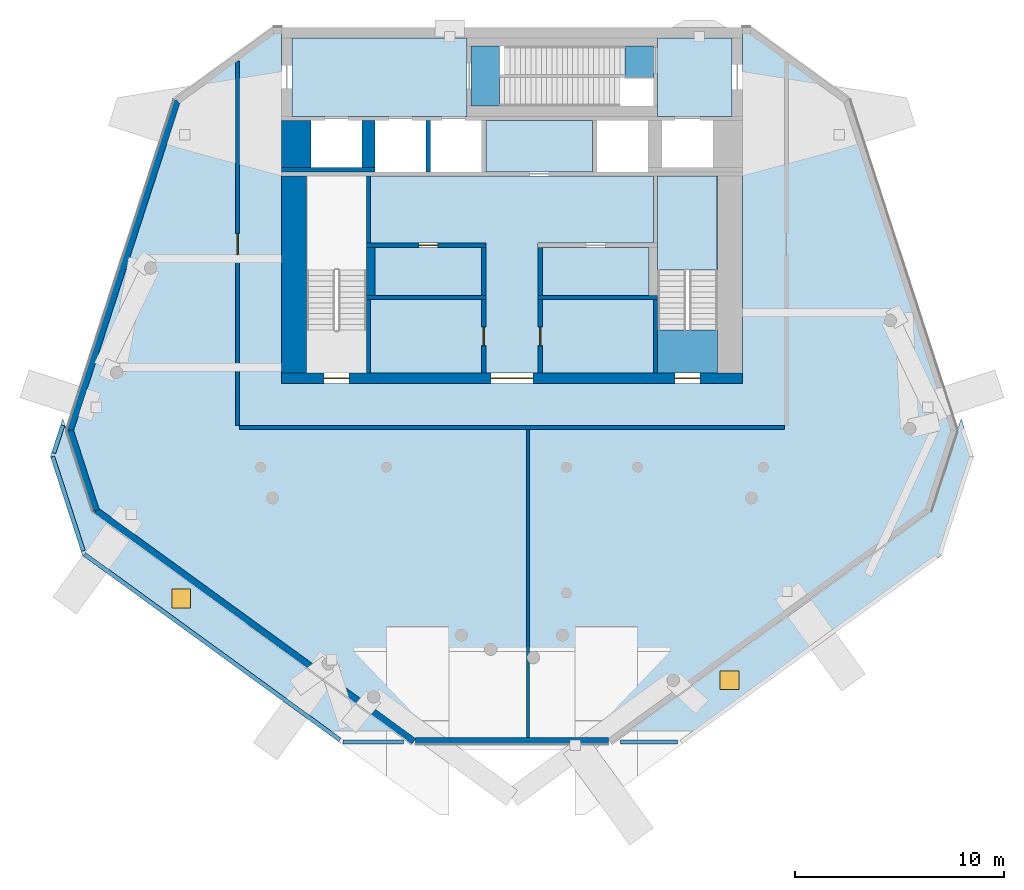
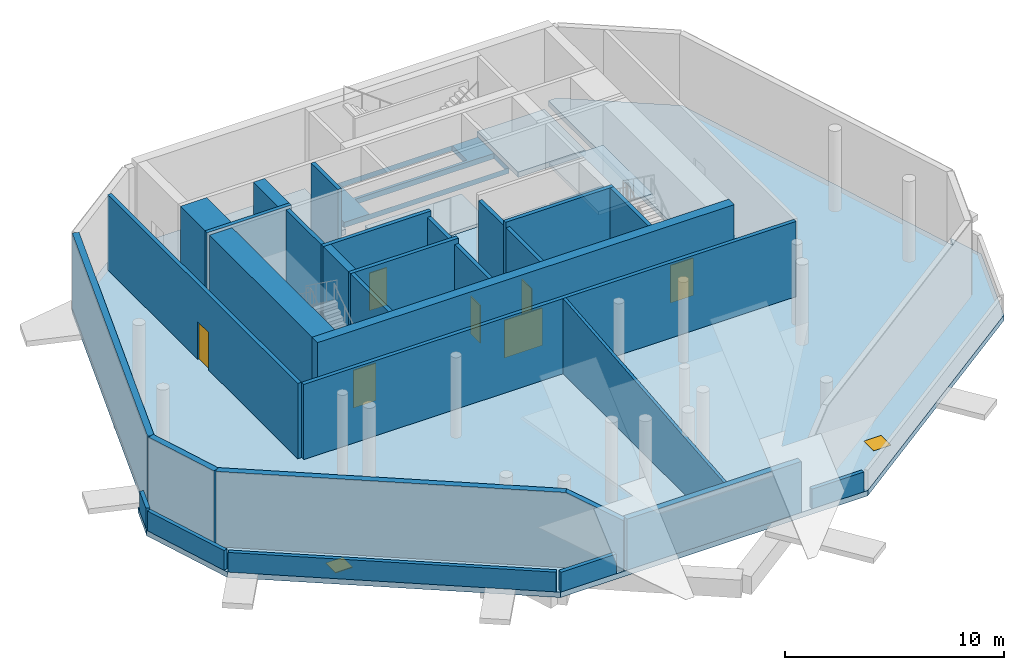
# One storey, part 2 of 8: 29 walls, 8 slabs, 7 doors, 2 windows, 9 openings, 1 element without a shape of its own.
"""IFC4 building model written with IfcOpenShell, lengths in metres."""

from ifc_helpers import new_model, si_unit, direction, frame, frame_2d, origin, origin_2d, place, context, subcontext, project, spatial, polyline, rectangle, outline, extrude, material, layer, layer_set, type_object, element, fill, aggregate, save


model = new_model("IFC4")

# Units and contexts
model_context = context("Model", 3, precision=1e-05, world=origin(), true_north=direction((0.0, 1.0)))
body_context = subcontext(model_context, "Body", "Model", "MODEL_VIEW")
ifc_project = project(units=[si_unit("LENGTHUNIT", "METRE"), si_unit("AREAUNIT", "SQUARE_METRE"), si_unit("VOLUMEUNIT", "CUBIC_METRE"), si_unit("PLANEANGLEUNIT", "RADIAN"), si_unit("MASSUNIT", "GRAM", prefix="KILO")], contexts=[model_context])

# Site, building, storey
site_placement = place(None, origin())
site = spatial("IfcSite", under=ifc_project, at=site_placement, CompositionType="ELEMENT")
building_placement = place(site_placement, origin())
building = spatial("IfcBuilding", under=site, at=building_placement, Name="White Candle Pilgrim Tower", CompositionType="ELEMENT")
storey_placement = place(building_placement, frame((0.0, 0.0, 328.699951171875)))
storey = spatial("IfcBuildingStorey", under=building, at=storey_placement, Name="L77", CompositionType="ELEMENT", Elevation=328.699951171875)

# Slabs
ifc_material_1 = material(Name="Concrete C40/50", Category="concrete")
ifc_layer_1 = layer(ifc_material_1, 0.300048828125)
ifc_layer_set_1 = layer_set([ifc_layer_1], Name="Core floor slab 300 mm Concrete C40/50")
slab_type_1 = type_object("IfcSlabType", Name="Core floor slab 300 mm Concrete C40/50", PredefinedType="FLOOR", material=ifc_layer_set_1)
slab_1_placement = place(storey_placement, frame((0.0, 0.0, -0.300048828125)))
element("IfcSlab", 1, at=slab_1_placement, inside=storey, type_object=slab_type_1, Name="CF-L77-01", PredefinedType="FLOOR", context=body_context, shape_type="SweptSolid", body=[
    extrude(outline(polyline([(67.85009765625, 87.10009765625), (67.85009765625, 84.25), (67.85009765625, 83.75), (59.5, 83.75), (59.5, 87.5), (67.85009765625, 87.5), (67.85009765625, 87.10009765625)])), origin(), (0.0, 0.0, 1.0), 0.300048828125),
])
slab_2_placement = place(storey_placement, frame((0.0, 0.0, -0.300048828125)))
element("IfcSlab", 2, at=slab_2_placement, inside=storey, type_object=slab_type_1, Name="CF-L77-02", PredefinedType="FLOOR", context=body_context, shape_type="SweptSolid", body=[
    extrude(outline(polyline([(80.5, 83.75), (76.949951171875, 83.75), (76.949951171875, 84.25), (76.949951171875, 87.10009765625), (76.949951171875, 87.5), (80.5, 87.5), (80.5, 83.75)])), origin(), (0.0, 0.0, 1.0), 0.300048828125),
])
slab_3_placement = place(storey_placement, frame((0.0, 0.0, -0.300048828125)))
element("IfcSlab", 3, at=slab_3_placement, inside=storey, type_object=slab_type_1, Name="CF-L77-03", PredefinedType="FLOOR", context=body_context, shape_type="SweptSolid", body=[
    extrude(outline(polyline([(76.949951171875, 75.0), (76.949951171875, 75.199951171875), (76.949951171875, 77.5), (76.949951171875, 77.699951171875), (76.949951171875, 80.89990234375), (79.800048828125, 80.89990234375), (79.800048828125, 71.5), (76.949951171875, 71.5), (76.949951171875, 75.0)]), holes=[polyline([(79.798095703125, 80.89794921875), (76.951904296875, 80.89794921875), (76.951904296875, 73.552001953125), (79.798095703125, 73.552001953125), (79.798095703125, 80.89794921875)])]), origin(), (0.0, 0.0, 1.0), 0.300048828125),
])
slab_4_placement = place(storey_placement, frame((0.0, 0.0, -0.300048828125)))
element("IfcSlab", 4, at=slab_4_placement, inside=storey, type_object=slab_type_1, Name="CF-L77-04", PredefinedType="FLOOR", context=body_context, shape_type="SweptSolid", body=[
    extrude(outline(polyline([(63.25, 75.0), (68.75, 75.0), (68.75, 75.199951171875), (63.449951171875, 75.199951171875), (63.449951171875, 77.5), (68.75, 77.5), (68.75, 77.699951171875), (63.25, 77.699951171875), (63.25, 80.89990234375), (76.75, 80.89990234375), (76.75, 77.699951171875), (71.25, 77.699951171875), (71.25, 77.5), (76.550048828125, 77.5), (76.550048828125, 75.199951171875), (71.25, 75.199951171875), (71.25, 75.0), (76.75, 75.0), (76.75, 71.5), (63.25, 71.5), (63.25, 75.0)])), origin(), (0.0, 0.0, 1.0), 0.300048828125),
])
slab_5_placement = place(storey_placement, frame((0.0, 0.0, -0.300048828125)))
element("IfcSlab", 5, at=slab_5_placement, inside=storey, type_object=slab_type_1, Name="CF-L77-06", PredefinedType="FLOOR", context=body_context, shape_type="SweptSolid", body=[
    extrude(outline(polyline([(73.85009765625, 81.10009765625), (68.75, 81.10009765625), (68.75, 83.550048828125), (73.85009765625, 83.550048828125), (73.85009765625, 81.10009765625)])), origin(), (0.0, 0.0, 1.0), 0.300048828125),
])
slab_6_placement = place(storey_placement, frame((0.0, 0.0, -0.300048828125)))
element("IfcSlab", 6, at=slab_6_placement, inside=storey, type_object=slab_type_1, Name="CF-L77-07", PredefinedType="FLOOR", context=body_context, shape_type="SweptSolid", body=[
    extrude(outline(polyline([(68.050048828125, 87.10009765625), (75.39599609375, 87.10009765625), (76.75, 87.10009765625), (76.75, 85.75), (76.75, 85.60009765625), (76.75, 84.25), (68.050048828125, 84.25), (68.050048828125, 87.10009765625)]), holes=[polyline([(76.748046875, 84.251953125), (76.748046875, 85.60009765625), (69.402099609375, 85.60009765625), (69.402099609375, 84.251953125), (76.748046875, 84.251953125)]), polyline([(69.402099609375, 87.097900390625), (69.402099609375, 85.75), (75.39599609375, 85.75), (75.39599609375, 87.097900390625), (69.402099609375, 87.097900390625)])]), origin(), (0.0, 0.0, 1.0), 0.300048828125),
])

# Slab, openings, windows
ifc_layer_2 = layer(ifc_material_1, 0.300048828125)
ifc_layer_set_2 = layer_set([ifc_layer_2], Name="Floor slab 300 REI 240")
slab_type_2 = type_object("IfcSlabType", Name="Floor slab 300 REI 240", PredefinedType="FLOOR", material=ifc_layer_set_2)
slab_7_placement = place(storey_placement, frame((0.0, 0.0, -0.300048828125)))
slab_7 = element("IfcSlab", 7, at=slab_7_placement, inside=storey, type_object=slab_type_2, Name="L77 floor slab", PredefinedType="FLOOR", context=body_context, shape_type="SweptSolid", body=[
    extrude(outline(polyline([(61.88916015625, 53.779541015625), (78.11083984375, 53.77978515625), (90.50048828125, 62.78125), (92.03662109375, 67.508544921875), (91.447509765625, 69.320556640625), (91.263671875, 68.754638671875), (86.1142578125, 84.601806640625), (81.43701171875, 88.0), (81.0, 88.0), (81.0, 71.0), (59.0, 71.0), (59.0, 88.0), (58.56298828125, 88.0), (53.8857421875, 84.601806640625), (53.885498046875, 84.601318359375), (48.736328125, 68.754638671875), (48.55224609375, 69.320556640625), (47.96337890625, 67.508544921875), (49.49951171875, 62.78125), (61.88916015625, 53.779541015625)])), origin(), (0.0, 0.0, 1.0), 0.300048828125),
])
opening_1_placement = place(slab_7_placement, frame((80.3798828125, 56.830078125, 0.0)))
opening_1 = element("IfcOpeningElement", 8, at=opening_1_placement, cuts=slab_7, Name="Opening SK1", PredefinedType="OPENING", context=body_context, shape_type="SweptSolid", body=[
    extrude(rectangle(XDim=0.89990234375, YDim=0.89990234375, at=origin_2d()), origin(), (0.0, 0.0, 1.0), 0.300048828125),
])
opening_2_placement = place(slab_7_placement, frame((54.2099609375, 60.72998046875, 0.0)))
opening_2 = element("IfcOpeningElement", 9, at=opening_2_placement, cuts=slab_7, Name="Opening SK1", PredefinedType="OPENING", context=body_context, shape_type="SweptSolid", body=[
    extrude(rectangle(XDim=0.89990234375, YDim=0.89990234375, at=origin_2d()), origin(), (0.0, 0.0, 1.0), 0.300048828125),
])
ifc_material_2 = material(Name="Aluminium with glazing", Category="aluminium")
window_type = type_object("IfcWindowType", Name="Roof access hatch SK1 900", PartitioningType="SINGLE_PANEL", PredefinedType="SKYLIGHT", material=ifc_material_2)
window_1_placement = place(opening_1_placement, frame((0.0, 0.0, 0.25)))
window_1 = element("IfcWindow", 10, at=window_1_placement, inside=storey, type_object=window_type, Name="Roof access hatch SK1 L77", OverallHeight=0.89990234375, OverallWidth=0.89990234375, PartitioningType="SINGLE_PANEL", PredefinedType="SKYLIGHT", context=body_context, shape_type="SweptSolid", body=[
    extrude(rectangle(XDim=0.89990234375, YDim=0.89990234375, at=origin_2d()), origin(), (0.0, 0.0, 1.0), 0.050048828125),
])
fill(opening_1, window_1)
window_2_placement = place(opening_2_placement, frame((0.0, 0.0, 0.25)))
window_2 = element("IfcWindow", 11, at=window_2_placement, inside=storey, type_object=window_type, Name="Roof access hatch SK1 L77", OverallHeight=0.89990234375, OverallWidth=0.89990234375, PartitioningType="SINGLE_PANEL", PredefinedType="SKYLIGHT", context=body_context, shape_type="SweptSolid", body=[
    extrude(rectangle(XDim=0.89990234375, YDim=0.89990234375, at=origin_2d()), origin(), (0.0, 0.0, 1.0), 0.050048828125),
])
fill(opening_2, window_2)

# Stair, slab
stair_type = type_object("IfcStairType", Name="Exit stair 2 flight width 1350 mm", PredefinedType="HALF_TURN_STAIR", material=ifc_material_1)
stair_placement = place(storey_placement, origin())
stair = element("IfcStair", 12, at=stair_placement, inside=storey, type_object=stair_type, Name="L77 stair 2", PredefinedType="NOTDEFINED")
ifc_layer_3 = layer(ifc_material_1, 0.199951171875)
ifc_layer_set_3 = layer_set([ifc_layer_3], Name="Stair landing Concrete C40/50")
slab_type_3 = type_object("IfcSlabType", Name="Stair landing Concrete C40/50", PredefinedType="LANDING", material=ifc_layer_set_3)
slab_8_placement = place(storey_placement, frame((0.0, 0.0, 2.050048828125)))
slab_8 = element("IfcSlab", 13, at=slab_8_placement, type_object=slab_type_3, Name="ST2 landing 1", PredefinedType="LANDING", context=body_context, shape_type="SweptSolid", body=[
    extrude(outline(polyline([(79.802001953125, 76.407958984375), (76.947998046875, 76.407958984375), (76.947998046875, 80.902099609375), (79.802001953125, 80.902099609375), (79.802001953125, 76.407958984375)])), origin(), (0.0, 0.0, 1.0), 0.199951171875),
])
aggregate(stair, [slab_8])

# Walls
ifc_layer_4 = layer(ifc_material_1, 1.39990234375)
ifc_layer_set_4 = layer_set([ifc_layer_4], Name="Core wall 1400 mm Concrete C40/50")
wall_type_1 = type_object("IfcWallType", Name="Core wall 1400 mm Concrete C40/50", PredefinedType="SHEAR", material=ifc_layer_set_4)
wall_1_placement = place(storey_placement, frame((59.699951171875, 81.300048828125, 0.0), z_axis=(0.0, 0.0, 1.0), x_axis=(0.0, 1.0, 0.0)))
element("IfcWall", 14, at=wall_1_placement, inside=storey, type_object=wall_type_1, Name="WL-L77-C24", PredefinedType="SHEAR", context=body_context, shape_type="SweptSolid", body=[
    extrude(rectangle(XDim=2.25, YDim=1.39990234375, at=frame_2d((1.125, 0.0))), origin(), (0.0, 0.0, 1.0), 4.5),
])
ifc_layer_5 = layer(ifc_material_1, 0.199951171875)
ifc_layer_set_5 = layer_set([ifc_layer_5], Name="Core wall 200 mm Concrete C40/50")
wall_type_2 = type_object("IfcWallType", Name="Core wall 200 mm Concrete C40/50", PredefinedType="SHEAR", material=ifc_layer_set_5)
wall_2_placement = place(storey_placement, frame((59.0, 81.199951171875, 0.0), z_axis=(0.0, 0.0, 1.0), x_axis=(1.0, 0.0, 0.0)))
element("IfcWall", 15, at=wall_2_placement, inside=storey, type_object=wall_type_2, Name="WL-L77-C19", PredefinedType="SHEAR", context=body_context, shape_type="SweptSolid", body=[
    extrude(rectangle(XDim=4.449951171875, YDim=0.199951171875, at=frame_2d((2.22509765625, 0.0))), origin(), (0.0, 0.0, 1.0), 4.5),
])
ifc_material_3 = material(Name="Gypsum board on steel studs", Category="steel")
ifc_layer_6 = layer(ifc_material_3, 0.199951171875)
ifc_layer_set_6 = layer_set([ifc_layer_6], Name="Corridor wall 200 mm EI 45")
wall_type_3 = type_object("IfcWallType", Name="Corridor wall 200 mm EI 45", PredefinedType="PARTITIONING", material=ifc_layer_set_6)
wall_3_placement = place(storey_placement, frame((83.0, 68.89990234375, 0.0), z_axis=(0.0, 0.0, 1.0), x_axis=(-1.0, 0.0, 0.0)))
element("IfcWall", 16, at=wall_3_placement, inside=storey, type_object=wall_type_3, Name="WL-L77-P002", PredefinedType="PARTITIONING", context=body_context, shape_type="SweptSolid", body=[
    extrude(rectangle(XDim=26.0, YDim=0.199951171875, at=frame_2d((13.0, 0.0))), origin(), (0.0, 0.0, 1.0), 4.199951171875),
])

# Wall, opening, door
wall_4_placement = place(storey_placement, frame((56.89990234375, 69.0, 0.0), z_axis=(0.0, 0.0, 1.0), x_axis=(0.0, 1.0, 0.0)))
wall_4 = element("IfcWall", 17, at=wall_4_placement, inside=storey, type_object=wall_type_3, Name="WL-L77-P003", PredefinedType="PARTITIONING", context=body_context, shape_type="SweptSolid", body=[
    extrude(rectangle(XDim=17.396240234375, YDim=0.199951171875, at=frame_2d((8.6982421875, 0.0))), origin(), (0.0, 0.0, 1.0), 4.199951171875),
])
opening_3_placement = place(wall_4_placement, frame((8.148193359375, 0.0, 0.0)))
opening_3 = element("IfcOpeningElement", 18, at=opening_3_placement, cuts=wall_4, Name="Opening L77-101", PredefinedType="OPENING", context=body_context, shape_type="SweptSolid", body=[
    extrude(rectangle(XDim=1.0, YDim=2.10009765625, at=frame_2d((0.5, 1.050048828125))), frame((0.0, 0.10986328125, 0.0), z_axis=(0.0, -1.0, 0.0), x_axis=(1.0, 0.0, 0.0)), (0.0, 0.0, 1.0), 0.219970703125),
])
ifc_material_4 = material(Name="Steel door leaf", Category="steel")
door_type_1 = type_object("IfcDoorType", Name="Fire door 1000 x 2100 EI 30", OperationType="NOTDEFINED", PredefinedType="DOOR", material=ifc_material_4)
door_1_placement = place(opening_3_placement, origin())
door_1 = element("IfcDoor", 19, at=door_1_placement, inside=storey, type_object=door_type_1, Name="Door L77-101", OperationType="SINGLE_SWING_LEFT", OverallHeight=2.10009765625, OverallWidth=1.0, PredefinedType="DOOR", context=body_context, shape_type="SweptSolid", body=[
    extrude(rectangle(XDim=1.0, YDim=2.10009765625, at=frame_2d((0.5, 1.050048828125))), frame((0.0, 0.02490234375, 0.0), z_axis=(0.0, -1.0, 0.0), x_axis=(1.0, 0.0, 0.0)), (0.0, 0.0, 1.0), 0.050048828125),
])
fill(opening_3, door_1)

# Walls
ifc_material_5 = material(Name="Precast concrete C40/50", Category="concrete")
ifc_layer_7 = layer(ifc_material_5, 0.320068359375)
ifc_layer_set_7 = layer_set([ifc_layer_7], Name="Facade wall EW4 precast concrete C40/50 crown wall with zinc cladding")
wall_type_4 = type_object("IfcWallType", Name="Facade wall EW4 precast concrete C40/50 crown wall with zinc cladding", PredefinedType="SOLIDWALL", material=ifc_layer_set_7)
wall_5_placement = place(storey_placement, frame((48.904541015625, 68.75439453125, 0.0), z_axis=(0.0, 0.0, 1.0), x_axis=(0.309021525282, -0.951055044102, 0.0)))
element("IfcWall", 20, at=wall_5_placement, inside=storey, type_object=wall_type_4, Name="Crown wall L77 W chamfer", PredefinedType="SOLIDWALL", context=body_context, shape_type="SweptSolid", body=[
    extrude(rectangle(XDim=4.019775390625, YDim=0.320068359375, at=frame_2d((2.009765625, 0.0))), origin(), (0.0, 0.0, 1.0), 4.199951171875),
])
wall_6_placement = place(storey_placement, frame((50.146728515625, 64.931396484375, 0.0), z_axis=(0.0, 0.0, 1.0), x_axis=(0.80901917789, -0.58778224693, 0.0)))
element("IfcWall", 21, at=wall_6_placement, inside=storey, type_object=wall_type_4, Name="Crown wall L77 SW", PredefinedType="SOLIDWALL", context=body_context, shape_type="SweptSolid", body=[
    extrude(outline(polyline([(0.0, 0.0), (18.752197265625, 0.0), (18.752197265625, 2.814697265625), (16.09033203125, 4.199951171875), (0.0, 4.199951171875), (0.0, 0.0)])), frame((0.0, 0.16015625, 0.0), z_axis=(0.0, -1.0, 0.0), x_axis=(1.0, 0.0, 0.0)), (0.0, 0.0, 1.0), 0.320068359375),
])
wall_7_placement = place(storey_placement, frame((54.021484375, 84.502685546875, 0.0), z_axis=(0.0, 0.0, 1.0), x_axis=(-0.309017727781, -0.951056277997, 0.0)))
element("IfcWall", 22, at=wall_7_placement, inside=storey, type_object=wall_type_4, Name="Crown wall L77 WNW", PredefinedType="SOLIDWALL", context=body_context, shape_type="SweptSolid", body=[
    extrude(rectangle(XDim=16.558837890625, YDim=0.320068359375, at=frame_2d((8.279296875, 0.0))), origin(), (0.0, 0.0, 1.0), 4.199951171875),
])
wall_8_placement = place(storey_placement, frame((65.394775390625, 53.939697265625, 0.0), z_axis=(0.0, 0.0, 1.0), x_axis=(1.0, 0.0, 0.0)))
element("IfcWall", 23, at=wall_8_placement, inside=storey, type_object=wall_type_4, Name="Crown wall L77 S", PredefinedType="SOLIDWALL", context=body_context, shape_type="SweptSolid", body=[
    extrude(rectangle(XDim=9.21044921875, YDim=0.320068359375, at=frame_2d((4.605224609375, 0.0))), origin(), (0.0, 0.0, 1.0), 2.841796875),
])

# Wall, opening, door
ifc_layer_8 = layer(ifc_material_3, 0.199951171875)
ifc_layer_set_8 = layer_set([ifc_layer_8], Name="Lobby wall 200 mm EI 60")
wall_type_5 = type_object("IfcWallType", Name="Lobby wall 200 mm EI 60", PredefinedType="PARTITIONING", material=ifc_layer_set_8)
wall_9_placement = place(storey_placement, frame((68.64990234375, 71.5, 0.0), z_axis=(0.0, 0.0, 1.0), x_axis=(0.0, 1.0, 0.0)))
wall_9 = element("IfcWall", 24, at=wall_9_placement, inside=storey, type_object=wall_type_5, Name="WL-L77-C04", PredefinedType="PARTITIONING", context=body_context, shape_type="SweptSolid", body=[
    extrude(rectangle(XDim=3.5, YDim=0.199951171875, at=frame_2d((1.75, 0.0))), origin(), (0.0, 0.0, 1.0), 4.199951171875),
])
opening_4_placement = place(wall_9_placement, frame((1.300048828125, 0.0, 0.0)))
opening_4 = element("IfcOpeningElement", 25, at=opening_4_placement, cuts=wall_9, Name="Opening L77-006", PredefinedType="OPENING", context=body_context, shape_type="SweptSolid", body=[
    extrude(rectangle(XDim=0.89990234375, YDim=2.10009765625, at=frame_2d((0.449951171875, 1.050048828125))), frame((0.0, 0.10986328125, 0.0), z_axis=(0.0, -1.0, 0.0), x_axis=(1.0, 0.0, 0.0)), (0.0, 0.0, 1.0), 0.219970703125),
])
door_type_2 = type_object("IfcDoorType", Name="Fire door 900 x 2100 EI 30", OperationType="NOTDEFINED", PredefinedType="DOOR", material=ifc_material_4)
door_2_placement = place(opening_4_placement, origin())
door_2 = element("IfcDoor", 26, at=door_2_placement, inside=storey, type_object=door_type_2, Name="Door L77-006", OperationType="SINGLE_SWING_RIGHT", OverallHeight=2.10009765625, OverallWidth=0.89990234375, PredefinedType="DOOR", context=body_context, shape_type="SweptSolid", body=[
    extrude(rectangle(XDim=0.89990234375, YDim=2.10009765625, at=frame_2d((0.449951171875, 1.050048828125))), frame((0.0, 0.02490234375, 0.0), z_axis=(0.0, -1.0, 0.0), x_axis=(1.0, 0.0, 0.0)), (0.0, 0.0, 1.0), 0.050048828125),
])
fill(opening_4, door_2)

wall_10_placement = place(storey_placement, frame((71.35009765625, 71.5, 0.0), z_axis=(0.0, 0.0, 1.0), x_axis=(0.0, 1.0, 0.0)))
wall_10 = element("IfcWall", 27, at=wall_10_placement, inside=storey, type_object=wall_type_5, Name="WL-L77-C05", PredefinedType="PARTITIONING", context=body_context, shape_type="SweptSolid", body=[
    extrude(rectangle(XDim=3.5, YDim=0.199951171875, at=frame_2d((1.75, 0.0))), origin(), (0.0, 0.0, 1.0), 4.199951171875),
])
opening_5_placement = place(wall_10_placement, frame((1.300048828125, 0.0, 0.0)))
opening_5 = element("IfcOpeningElement", 28, at=opening_5_placement, cuts=wall_10, Name="Opening L77-007", PredefinedType="OPENING", context=body_context, shape_type="SweptSolid", body=[
    extrude(rectangle(XDim=0.89990234375, YDim=2.10009765625, at=frame_2d((0.449951171875, 1.050048828125))), frame((0.0, 0.10986328125, 0.0), z_axis=(0.0, -1.0, 0.0), x_axis=(1.0, 0.0, 0.0)), (0.0, 0.0, 1.0), 0.219970703125),
])
door_3_placement = place(opening_5_placement, origin())
door_3 = element("IfcDoor", 29, at=door_3_placement, inside=storey, type_object=door_type_2, Name="Door L77-007", OperationType="SINGLE_SWING_LEFT", OverallHeight=2.10009765625, OverallWidth=0.89990234375, PredefinedType="DOOR", context=body_context, shape_type="SweptSolid", body=[
    extrude(rectangle(XDim=0.89990234375, YDim=2.10009765625, at=frame_2d((0.449951171875, 1.050048828125))), frame((0.0, 0.02490234375, 0.0), z_axis=(0.0, -1.0, 0.0), x_axis=(1.0, 0.0, 0.0)), (0.0, 0.0, 1.0), 0.050048828125),
])
fill(opening_5, door_3)

# Walls
for number, where, z_axis, x_axis, name in (
    (30, (68.64990234375, 75.199951171875, 0.0), (0.0, 0.0, 1.0), (0.0, 1.0, 0.0), "WL-L77-C11"),
    (31, (71.35009765625, 75.199951171875, 0.0), (0.0, 0.0, 1.0), (0.0, 1.0, 0.0), "WL-L77-C12"),
):
    element("IfcWall", number, at=place(storey_placement, frame(where, z_axis=z_axis, x_axis=x_axis)), inside=storey, type_object=wall_type_5, Name=name, PredefinedType="PARTITIONING", context=body_context, shape_type="SweptSolid", body=[
        extrude(rectangle(XDim=2.300048828125, YDim=0.199951171875, at=frame_2d((1.14990234375, 0.0))), origin(), (0.0, 0.0, 1.0), 4.199951171875),
    ])
ifc_layer_9 = layer(ifc_material_3, 0.14990234375)
ifc_layer_set_9 = layer_set([ifc_layer_9], Name="Partition 150 mm EI 60")
wall_type_6 = type_object("IfcWallType", Name="Partition 150 mm EI 60", PredefinedType="PARTITIONING", material=ifc_layer_set_9)
wall_11_placement = place(storey_placement, frame((70.771240234375, 54.099609375, 0.0), z_axis=(0.0, 0.0, 1.0), x_axis=(0.0, 1.0, 0.0)))
element("IfcWall", 32, at=wall_11_placement, inside=storey, type_object=wall_type_6, Name="WL-L77-P004", PredefinedType="PARTITIONING", context=body_context, shape_type="SweptSolid", body=[
    extrude(outline(polyline([(0.0, 0.0), (14.700439453125, 0.0), (14.700439453125, 4.199951171875), (0.0, 2.833251953125), (0.0, 0.0)])), frame((0.0, 0.074951171875, 0.0), z_axis=(0.0, -1.0, 0.0), x_axis=(1.0, 0.0, 0.0)), (0.0, 0.0, 1.0), 0.14990234375),
])
ifc_layer_10 = layer(ifc_material_5, 0.199951171875)
ifc_layer_set_10 = layer_set([ifc_layer_10], Name="Roof parapet EW5 precast concrete C40/50 200")
wall_type_7 = type_object("IfcWallType", Name="Roof parapet EW5 precast concrete C40/50 200", PredefinedType="SOLIDWALL", material=ifc_layer_set_10)
wall_12_placement = place(storey_placement, frame((77.908203125, 53.879638671875, 0.0), z_axis=(0.0, 0.0, 1.0), x_axis=(-1.0, 0.0, 0.0)))
element("IfcWall", 33, at=wall_12_placement, inside=storey, type_object=wall_type_7, Name="Roof parapet L77", PredefinedType="SOLIDWALL", context=body_context, shape_type="SweptSolid", body=[
    extrude(rectangle(XDim=2.739013671875, YDim=0.199951171875, at=frame_2d((1.36962890625, 0.0))), origin(), (0.0, 0.0, 1.0), 1.10009765625),
])
wall_13_placement = place(storey_placement, frame((64.830810546875, 53.879638671875, 0.0), z_axis=(0.0, 0.0, 1.0), x_axis=(-1.0, 0.0, 0.0)))
element("IfcWall", 34, at=wall_13_placement, inside=storey, type_object=wall_type_7, Name="Roof parapet L77", PredefinedType="SOLIDWALL", context=body_context, shape_type="SweptSolid", body=[
    extrude(rectangle(XDim=2.9091796875, YDim=0.199951171875, at=frame_2d((1.45458984375, 0.0))), origin(), (0.0, 0.0, 1.0), 1.10009765625),
])
wall_14_placement = place(storey_placement, frame((61.783935546875, 53.9794921875, 0.0), z_axis=(0.0, 0.0, 1.0), x_axis=(-0.809008348553, 0.587797152062, 0.0)))
element("IfcWall", 35, at=wall_14_placement, inside=storey, type_object=wall_type_7, Name="Roof parapet L77", PredefinedType="SOLIDWALL", context=body_context, shape_type="SweptSolid", body=[
    extrude(rectangle(XDim=15.079345703125, YDim=0.199951171875, at=frame_2d((7.53955078125, 0.0))), origin(), (0.0, 0.0, 1.0), 1.10009765625),
])
wall_15_placement = place(storey_placement, frame((49.531982421875, 63.0048828125, 0.0), z_axis=(0.0, 0.0, 1.0), x_axis=(-0.309026617678, 0.951053389441, 0.0)))
element("IfcWall", 36, at=wall_15_placement, inside=storey, type_object=wall_type_7, Name="Roof parapet L77", PredefinedType="SOLIDWALL", context=body_context, shape_type="SweptSolid", body=[
    extrude(rectangle(XDim=4.7353515625, YDim=0.199951171875, at=frame_2d((2.36767578125, 0.0))), origin(), (0.0, 0.0, 1.0), 1.10009765625),
])
wall_16_placement = place(storey_placement, frame((48.12109375, 67.67041015625, 0.0), z_axis=(0.0, 0.0, 1.0), x_axis=(0.309236441477, 0.950985185617, 0.0)))
element("IfcWall", 37, at=wall_16_placement, inside=storey, type_object=wall_type_7, Name="Roof parapet L77", PredefinedType="SOLIDWALL", context=body_context, shape_type="SweptSolid", body=[
    extrude(rectangle(XDim=1.39501953125, YDim=0.199951171875, at=frame_2d((0.697509765625, 0.0))), origin(), (0.0, 0.0, 1.0), 1.10009765625),
])
ifc_layer_11 = layer(ifc_material_1, 0.199951171875)
ifc_layer_set_11 = layer_set([ifc_layer_11], Name="Shaft wall 200 mm Concrete C40/50")
wall_type_8 = type_object("IfcWallType", Name="Shaft wall 200 mm Concrete C40/50", PredefinedType="SHEAR", material=ifc_layer_set_11)
wall_17_placement = place(storey_placement, frame((66.0, 81.10009765625, 0.0), z_axis=(0.0, 0.0, 1.0), x_axis=(0.0, 1.0, 0.0)))
element("IfcWall", 38, at=wall_17_placement, inside=storey, type_object=wall_type_8, Name="WL-L77-C20", PredefinedType="SHEAR", context=body_context, shape_type="SweptSolid", body=[
    extrude(rectangle(XDim=2.449951171875, YDim=0.199951171875, at=frame_2d((1.22509765625, 0.0))), origin(), (0.0, 0.0, 1.0), 4.5),
])
ifc_layer_12 = layer(ifc_material_1, 0.60009765625)
ifc_layer_set_12 = layer_set([ifc_layer_12], Name="Shaft wall 600 mm Concrete C40/50")
wall_type_9 = type_object("IfcWallType", Name="Shaft wall 600 mm Concrete C40/50", PredefinedType="SHEAR", material=ifc_layer_set_12)
wall_18_placement = place(storey_placement, frame((63.14990234375, 81.300048828125, 0.0), z_axis=(0.0, 0.0, 1.0), x_axis=(0.0, 1.0, 0.0)))
element("IfcWall", 39, at=wall_18_placement, inside=storey, type_object=wall_type_9, Name="WL-L77-C25", PredefinedType="SHEAR", context=body_context, shape_type="SweptSolid", body=[
    extrude(rectangle(XDim=2.25, YDim=0.60009765625, at=frame_2d((1.125, 0.0))), origin(), (0.0, 0.0, 1.0), 4.5),
])
ifc_layer_13 = layer(ifc_material_1, 1.199951171875)
ifc_layer_set_13 = layer_set([ifc_layer_13], Name="Stair shaft wall 1200 mm Concrete C40/50")
wall_type_10 = type_object("IfcWallType", Name="Stair shaft wall 1200 mm Concrete C40/50", PredefinedType="SHEAR", material=ifc_layer_set_13)
wall_19_placement = place(storey_placement, frame((59.60009765625, 71.5, 0.0), z_axis=(0.0, 0.0, 1.0), x_axis=(0.0, 1.0, 0.0)))
element("IfcWall", 40, at=wall_19_placement, inside=storey, type_object=wall_type_10, Name="WL-L77-C02", PredefinedType="SHEAR", context=body_context, shape_type="SweptSolid", body=[
    extrude(rectangle(XDim=9.39990234375, YDim=1.199951171875, at=frame_2d((4.699951171875, 0.0))), origin(), (0.0, 0.0, 1.0), 4.5),
])
ifc_layer_14 = layer(ifc_material_1, 0.199951171875)
ifc_layer_set_14 = layer_set([ifc_layer_14], Name="Stair shaft wall 200 mm Concrete C40/50")
wall_type_11 = type_object("IfcWallType", Name="Stair shaft wall 200 mm Concrete C40/50", PredefinedType="SHEAR", material=ifc_layer_set_14)
for number, where, z_axis, x_axis, name in (
    (41, (63.14990234375, 71.5, 0.0), (0.0, 0.0, 1.0), (0.0, 1.0, 0.0), "WL-L77-C03"),
    (42, (76.85009765625, 71.5, 0.0), (0.0, 0.0, 1.0), (0.0, 1.0, 0.0), "WL-L77-C06"),
):
    element("IfcWall", number, at=place(storey_placement, frame(where, z_axis=z_axis, x_axis=x_axis)), inside=storey, type_object=wall_type_11, Name=name, PredefinedType="SHEAR", context=body_context, shape_type="SweptSolid", body=[
        extrude(rectangle(XDim=3.5, YDim=0.199951171875, at=frame_2d((1.75, 0.0))), origin(), (0.0, 0.0, 1.0), 4.5),
    ])
for number, where, z_axis, x_axis, name in (
    (43, (63.050048828125, 75.10009765625, 0.0), (0.0, 0.0, 1.0), (1.0, 0.0, 0.0), "WL-L77-C08"),
    (44, (71.25, 75.10009765625, 0.0), (0.0, 0.0, 1.0), (1.0, 0.0, 0.0), "WL-L77-C09"),
):
    element("IfcWall", number, at=place(storey_placement, frame(where, z_axis=z_axis, x_axis=x_axis)), inside=storey, type_object=wall_type_11, Name=name, PredefinedType="SHEAR", context=body_context, shape_type="SweptSolid", body=[
        extrude(rectangle(XDim=5.699951171875, YDim=0.199951171875, at=frame_2d((2.85009765625, 0.0))), origin(), (0.0, 0.0, 1.0), 4.5),
    ])

# Wall, opening, door
wall_20_placement = place(storey_placement, frame((63.050048828125, 77.60009765625, 0.0), z_axis=(0.0, 0.0, 1.0), x_axis=(1.0, 0.0, 0.0)))
wall_20 = element("IfcWall", 45, at=wall_20_placement, inside=storey, type_object=wall_type_11, Name="WL-L77-C14", PredefinedType="SHEAR", context=body_context, shape_type="SweptSolid", body=[
    extrude(rectangle(XDim=5.699951171875, YDim=0.199951171875, at=frame_2d((2.85009765625, 0.0))), origin(), (0.0, 0.0, 1.0), 4.5),
])
opening_6_placement = place(wall_20_placement, frame((2.5, 0.0, 0.0)))
opening_6 = element("IfcOpeningElement", 46, at=opening_6_placement, cuts=wall_20, Name="Opening L77-014", PredefinedType="OPENING", context=body_context, shape_type="SweptSolid", body=[
    extrude(rectangle(XDim=0.89990234375, YDim=2.10009765625, at=frame_2d((0.449951171875, 1.050048828125))), frame((0.0, 0.10986328125, 0.0), z_axis=(0.0, -1.0, 0.0), x_axis=(1.0, 0.0, 0.0)), (0.0, 0.0, 1.0), 0.219970703125),
])
door_4_placement = place(opening_6_placement, origin())
door_4 = element("IfcDoor", 47, at=door_4_placement, inside=storey, type_object=door_type_2, Name="Door L77-014", OperationType="SINGLE_SWING_RIGHT", OverallHeight=2.10009765625, OverallWidth=0.89990234375, PredefinedType="DOOR", context=body_context, shape_type="SweptSolid", body=[
    extrude(rectangle(XDim=0.89990234375, YDim=2.10009765625, at=frame_2d((0.449951171875, 1.050048828125))), frame((0.0, 0.02490234375, 0.0), z_axis=(0.0, -1.0, 0.0), x_axis=(1.0, 0.0, 0.0)), (0.0, 0.0, 1.0), 0.050048828125),
])
fill(opening_6, door_4)

# Walls
wall_21_placement = place(storey_placement, frame((63.14990234375, 77.699951171875, 0.0), z_axis=(0.0, 0.0, 1.0), x_axis=(0.0, 1.0, 0.0)))
element("IfcWall", 48, at=wall_21_placement, inside=storey, type_object=wall_type_11, Name="WL-L77-C16", PredefinedType="SHEAR", context=body_context, shape_type="SweptSolid", body=[
    extrude(rectangle(XDim=3.199951171875, YDim=0.199951171875, at=frame_2d((1.60009765625, 0.0))), origin(), (0.0, 0.0, 1.0), 4.5),
])
ifc_layer_15 = layer(ifc_material_1, 0.39990234375)
ifc_layer_set_15 = layer_set([ifc_layer_15], Name="Stair shaft wall 400 mm Concrete C40/50")
wall_type_12 = type_object("IfcWallType", Name="Stair shaft wall 400 mm Concrete C40/50", PredefinedType="SHEAR", material=ifc_layer_set_15)
wall_22_placement = place(storey_placement, frame((63.25, 75.199951171875, 0.0), z_axis=(0.0, 0.0, 1.0), x_axis=(0.0, 1.0, 0.0)))
element("IfcWall", 49, at=wall_22_placement, inside=storey, type_object=wall_type_12, Name="WL-L77-C10", PredefinedType="SHEAR", context=body_context, shape_type="SweptSolid", body=[
    extrude(rectangle(XDim=2.300048828125, YDim=0.39990234375, at=frame_2d((1.14990234375, 0.0))), origin(), (0.0, 0.0, 1.0), 4.5),
])

# Wall, openings, doors
ifc_layer_16 = layer(ifc_material_1, 0.5)
ifc_layer_set_16 = layer_set([ifc_layer_16], Name="Stair shaft wall 500 mm Concrete C40/50")
wall_type_13 = type_object("IfcWallType", Name="Stair shaft wall 500 mm Concrete C40/50", PredefinedType="SHEAR", material=ifc_layer_set_16)
wall_23_placement = place(storey_placement, frame((59.0, 71.25, 0.0), z_axis=(0.0, 0.0, 1.0), x_axis=(1.0, 0.0, 0.0)))
wall_23 = element("IfcWall", 50, at=wall_23_placement, inside=storey, type_object=wall_type_13, Name="WL-L77-C01", PredefinedType="SHEAR", context=body_context, shape_type="SweptSolid", body=[
    extrude(rectangle(XDim=22.0, YDim=0.5, at=frame_2d((11.0, 0.0))), origin(), (0.0, 0.0, 1.0), 4.5),
])
opening_7_placement = place(wall_23_placement, frame((2.02490234375, 0.0, 0.0)))
opening_7 = element("IfcOpeningElement", 51, at=opening_7_placement, cuts=wall_23, Name="Opening L77-001", PredefinedType="OPENING", context=body_context, shape_type="SweptSolid", body=[
    extrude(rectangle(XDim=1.199951171875, YDim=2.10009765625, at=frame_2d((0.60009765625, 1.050048828125))), frame((0.0, 0.260009765625, 0.0), z_axis=(0.0, -1.0, 0.0), x_axis=(1.0, 0.0, 0.0)), (0.0, 0.0, 1.0), 0.52001953125),
])
opening_8_placement = place(wall_23_placement, frame((18.77490234375, 0.0, 0.0)))
opening_8 = element("IfcOpeningElement", 52, at=opening_8_placement, cuts=wall_23, Name="Opening L77-002", PredefinedType="OPENING", context=body_context, shape_type="SweptSolid", body=[
    extrude(rectangle(XDim=1.199951171875, YDim=2.10009765625, at=frame_2d((0.60009765625, 1.050048828125))), frame((0.0, 0.260009765625, 0.0), z_axis=(0.0, -1.0, 0.0), x_axis=(1.0, 0.0, 0.0)), (0.0, 0.0, 1.0), 0.52001953125),
])
opening_9_placement = place(wall_23_placement, frame((10.0, 0.0, 0.0)))
opening_9 = element("IfcOpeningElement", 53, at=opening_9_placement, cuts=wall_23, Name="Opening L77-005", PredefinedType="OPENING", context=body_context, shape_type="SweptSolid", body=[
    extrude(rectangle(XDim=2.0, YDim=2.10009765625, at=frame_2d((1.0, 1.050048828125))), frame((0.0, 0.260009765625, 0.0), z_axis=(0.0, -1.0, 0.0), x_axis=(1.0, 0.0, 0.0)), (0.0, 0.0, 1.0), 0.52001953125),
])
door_type_3 = type_object("IfcDoorType", Name="Fire door 1200 x 2100 EI 60", OperationType="NOTDEFINED", PredefinedType="DOOR", material=ifc_material_4)
door_5_placement = place(opening_7_placement, frame((1.199951171875, 0.0, 0.0), z_axis=(0.0, 0.0, 1.0), x_axis=(-1.0, 0.0, 0.0)))
door_5 = element("IfcDoor", 54, at=door_5_placement, inside=storey, type_object=door_type_3, Name="Door L77-001", OperationType="SINGLE_SWING_RIGHT", OverallHeight=2.10009765625, OverallWidth=1.199951171875, PredefinedType="DOOR", context=body_context, shape_type="SweptSolid", body=[
    extrude(rectangle(XDim=1.199951171875, YDim=2.10009765625, at=frame_2d((0.60009765625, 1.050048828125))), frame((0.0, 0.02490234375, 0.0), z_axis=(0.0, -1.0, 0.0), x_axis=(1.0, 0.0, 0.0)), (0.0, 0.0, 1.0), 0.050048828125),
])
fill(opening_7, door_5)
door_6_placement = place(opening_8_placement, frame((1.199951171875, 0.0, 0.0), z_axis=(0.0, 0.0, 1.0), x_axis=(-1.0, 0.0, 0.0)))
door_6 = element("IfcDoor", 55, at=door_6_placement, inside=storey, type_object=door_type_3, Name="Door L77-002", OperationType="SINGLE_SWING_LEFT", OverallHeight=2.10009765625, OverallWidth=1.199951171875, PredefinedType="DOOR", context=body_context, shape_type="SweptSolid", body=[
    extrude(rectangle(XDim=1.199951171875, YDim=2.10009765625, at=frame_2d((0.60009765625, 1.050048828125))), frame((0.0, 0.02490234375, 0.0), z_axis=(0.0, -1.0, 0.0), x_axis=(1.0, 0.0, 0.0)), (0.0, 0.0, 1.0), 0.050048828125),
])
fill(opening_8, door_6)
door_type_4 = type_object("IfcDoorType", Name="Fire door 2000 x 2100 EI 60", OperationType="NOTDEFINED", PredefinedType="DOOR", material=ifc_material_4)
door_7_placement = place(opening_9_placement, frame((2.0, 0.0, 0.0), z_axis=(0.0, 0.0, 1.0), x_axis=(-1.0, 0.0, 0.0)))
door_7 = element("IfcDoor", 56, at=door_7_placement, inside=storey, type_object=door_type_4, Name="Door L77-005", OperationType="DOUBLE_DOOR_SINGLE_SWING", OverallHeight=2.10009765625, OverallWidth=2.0, PredefinedType="DOOR", context=body_context, shape_type="SweptSolid", body=[
    extrude(rectangle(XDim=2.0, YDim=2.10009765625, at=frame_2d((1.0, 1.050048828125))), frame((0.0, 0.02490234375, 0.0), z_axis=(0.0, -1.0, 0.0), x_axis=(1.0, 0.0, 0.0)), (0.0, 0.0, 1.0), 0.050048828125),
])
fill(opening_9, door_7)

save(model, "model.ifc")
